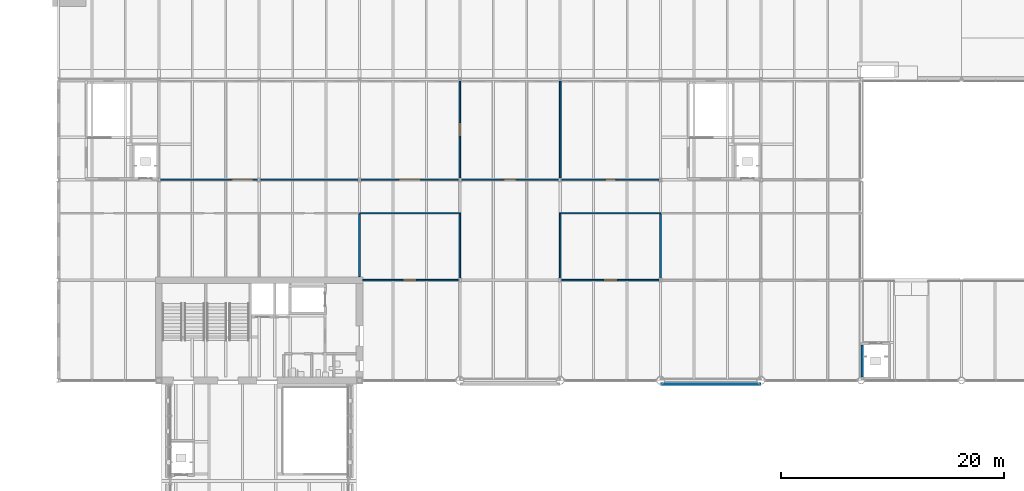
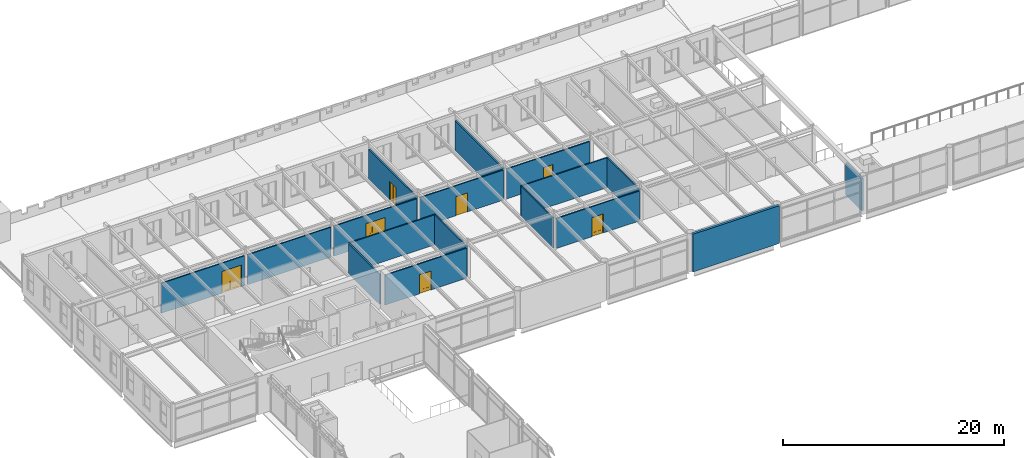
# One storey, part 72 of 123: 17 walls, 7 doors, 7 openings.
"""IFC4 building model written with IfcOpenShell, lengths in metres."""

from ifc_helpers import new_model, si_unit, direction, frame, frame_2d, origin, place, context, subcontext, project, spatial, polyline, rectangle, outline, extrude, material, layer, layer_set, type_object, element, fill, save


model = new_model("IFC4")

# Units and contexts
model_context = context("Model", 3, precision=1e-05, world=origin(), true_north=direction((0.0, 1.0)))
body_context = subcontext(model_context, "Body", "Model", "MODEL_VIEW")
ifc_project = project(units=[si_unit("LENGTHUNIT", "METRE"), si_unit("AREAUNIT", "SQUARE_METRE"), si_unit("VOLUMEUNIT", "CUBIC_METRE"), si_unit("PLANEANGLEUNIT", "RADIAN"), si_unit("MASSUNIT", "GRAM", prefix="KILO")], contexts=[model_context])

# Site, building, storey
site_placement = place(None, origin())
site = spatial("IfcSite", under=ifc_project, at=site_placement, CompositionType="ELEMENT")
building_placement = place(site_placement, origin())
building = spatial("IfcBuilding", under=site, at=building_placement, Name="Baradari Gate Terminus", CompositionType="ELEMENT")
storey_placement = place(building_placement, frame((0.0, 0.0, 7.5)))
storey = spatial("IfcBuildingStorey", under=building, at=storey_placement, Name="L01", CompositionType="ELEMENT", Elevation=7.5)

# Walls
ifc_material_1 = material(Name="Gypsum board")
ifc_layer_1 = layer(ifc_material_1, 0.125)
ifc_layer_set_1 = layer_set([ifc_layer_1], Name="Gypsum board")
wall_type_1 = type_object("IfcWallType", Name="Corridor partition PT-5 125 EI 30", PredefinedType="PARTITIONING", material=ifc_layer_set_1)
for number, where, z_axis, x_axis, name in (
    (1, (117.0, 96.0, 0.0), (0.0, 0.0, 1.0), (-1.0, 0.0, 0.0), "PT-5 partition Corridor (Service Corridor West) / Station Office 4"),
    (2, (99.0625, 96.0, 0.0), (0.0, 0.0, 1.0), (-1.0, 0.0, 0.0), "PT-5 partition Corridor (Service Corridor West) / Station Office 3"),
):
    element("IfcWall", number, at=place(storey_placement, frame(where, z_axis=z_axis, x_axis=x_axis)), inside=storey, type_object=wall_type_1, Name=name, PredefinedType="PARTITIONING", context=body_context, shape_type="SweptSolid", body=[
        extrude(rectangle(XDim=9.0625, YDim=0.125, at=frame_2d((4.53125, 0.0))), origin(), (0.0, 0.0, 1.0), 3.306884765625),
    ])

# Wall, opening, door
wall_1_placement = place(storey_placement, frame((108.15380859375, 99.0, 0.0), z_axis=(0.0, 0.0, 1.0), x_axis=(1.0, 0.0, 0.0)))
wall_1 = element("IfcWall", 3, at=wall_1_placement, inside=storey, type_object=wall_type_1, Name="PT-5 partition Corridor (Service Corridor West) / Station Office 6", PredefinedType="PARTITIONING", context=body_context, shape_type="SweptSolid", body=[
    extrude(rectangle(XDim=8.6923828125, YDim=0.125, at=frame_2d((4.34619140625, 0.0))), origin(), (0.0, 0.0, 1.0), 3.306884765625),
])
opening_1_placement = place(wall_1_placement, frame((3.84619140625, 0.0, 0.0)))
opening_1 = element("IfcOpeningElement", 4, at=opening_1_placement, cuts=wall_1, Name="Opening D01-056", PredefinedType="OPENING", context=body_context, shape_type="SweptSolid", body=[
    extrude(rectangle(XDim=1.0, YDim=2.10009765625, at=frame_2d((0.5, 1.050048828125))), frame((0.0, 0.072509765625, 0.0), z_axis=(0.0, -1.0, 0.0), x_axis=(1.0, 0.0, 0.0)), (0.0, 0.0, 1.0), 0.14501953125),
])
ifc_material_2 = material(Name="Steel S275", Category="steel")
door_type_1 = type_object("IfcDoorType", Name="Fire door FI-1000-FD30S 1000x2100 FD30S", OperationType="SINGLE_SWING_LEFT", PredefinedType="DOOR", material=ifc_material_2)
door_1_placement = place(opening_1_placement, origin())
door_1 = element("IfcDoor", 5, at=door_1_placement, inside=storey, type_object=door_type_1, Name="Door Station Office 6", OperationType="SINGLE_SWING_LEFT", OverallHeight=2.1, OverallWidth=1.0, PredefinedType="DOOR", context=body_context, shape_type="SweptSolid", body=[
    extrude(outline(polyline([(0.0, 0.0), (0.070068359375, 0.0), (0.070068359375, 2.030029296875), (0.929931640625, 2.030029296875), (0.929931640625, 0.0), (1.0, 0.0), (1.0, 2.10009765625), (0.0, 2.10009765625), (0.0, 0.0)])), frame((0.0, 0.02490234375, 0.0), z_axis=(0.0, -1.0, 0.0), x_axis=(1.0, 0.0, 0.0)), (0.0, 0.0, 1.0), 0.050048828125),
    extrude(outline(polyline([(0.073974609375, 0.010009765625), (0.926025390625, 0.010009765625), (0.926025390625, 2.026123046875), (0.073974609375, 2.026123046875), (0.073974609375, 0.010009765625)]), holes=[polyline([(0.194091796875, 0.159912109375), (0.805908203125, 0.159912109375), (0.805908203125, 1.010009765625), (0.194091796875, 1.010009765625), (0.194091796875, 0.159912109375)]), polyline([(0.35009765625, 1.159912109375), (0.64990234375, 1.159912109375), (0.64990234375, 1.760009765625), (0.35009765625, 1.760009765625), (0.35009765625, 1.159912109375)])]), frame((0.0, 0.017333984375, 0.0), z_axis=(0.0, -1.0, 0.0), x_axis=(1.0, 0.0, 0.0)), (0.0, 0.0, 1.0), 0.034912109375),
    extrude(rectangle(XDim=0.61181640625, YDim=0.85009765625, at=frame_2d((0.5, 0.5849609375))), frame((0.0, 0.008544921875, 0.0), z_axis=(0.0, -1.0, 0.0), x_axis=(1.0, 0.0, 0.0)), (0.0, 0.0, 1.0), 0.017333984375),
    extrude(rectangle(XDim=0.2998046875, YDim=0.60009765625, at=frame_2d((0.5, 1.4599609375))), frame((0.0, 0.005859375, 0.0), z_axis=(0.0, -1.0, 0.0), x_axis=(1.0, 0.0, 0.0)), (0.0, 0.0, 1.0), 0.011962890625),
])
fill(opening_1, door_1)

wall_2_placement = place(storey_placement, frame((99.15380859375, 99.0, 0.0), z_axis=(0.0, 0.0, 1.0), x_axis=(1.0, 0.0, 0.0)))
wall_2 = element("IfcWall", 6, at=wall_2_placement, inside=storey, type_object=wall_type_1, Name="PT-5 partition Corridor (Service Corridor West) / Restaurant Kitchen", PredefinedType="PARTITIONING", context=body_context, shape_type="SweptSolid", body=[
    extrude(rectangle(XDim=8.6923828125, YDim=0.125, at=frame_2d((4.34619140625, 0.0))), origin(), (0.0, 0.0, 1.0), 3.306884765625),
])
opening_2_placement = place(wall_2_placement, frame((3.746337890625, 0.0, 0.0)))
opening_2 = element("IfcOpeningElement", 7, at=opening_2_placement, cuts=wall_2, Name="Opening D01-054", PredefinedType="OPENING", context=body_context, shape_type="SweptSolid", body=[
    extrude(rectangle(XDim=1.199951171875, YDim=2.10009765625, at=frame_2d((0.60009765625, 1.050048828125))), frame((0.0, 0.072509765625, 0.0), z_axis=(0.0, -1.0, 0.0), x_axis=(1.0, 0.0, 0.0)), (0.0, 0.0, 1.0), 0.14501953125),
])
ifc_material_3 = material(Name="Steel S275", Category="steel")
door_type_2 = type_object("IfcDoorType", Name="Fire door FI-1200-FD60S 1200x2100 FD60S", OperationType="DOUBLE_DOOR_SINGLE_SWING", PredefinedType="DOOR", material=ifc_material_3)
door_2_placement = place(opening_2_placement, origin())
door_2 = element("IfcDoor", 8, at=door_2_placement, inside=storey, type_object=door_type_2, Name="Door Restaurant Kitchen", OperationType="DOUBLE_DOOR_SINGLE_SWING", OverallHeight=2.1, OverallWidth=1.2, PredefinedType="DOOR", context=body_context, shape_type="SweptSolid", body=[
    extrude(outline(polyline([(0.0, 0.0), (0.070068359375, 0.0), (0.070068359375, 2.030029296875), (1.1298828125, 2.030029296875), (1.1298828125, 0.0), (1.199951171875, 0.0), (1.199951171875, 2.10009765625), (0.0, 2.10009765625), (0.0, 0.0)])), frame((0.0, 0.02490234375, 0.0), z_axis=(0.0, -1.0, 0.0), x_axis=(1.0, 0.0, 0.0)), (0.0, 0.0, 1.0), 0.050048828125),
    extrude(outline(polyline([(0.073974609375, 0.010009765625), (0.596923828125, 0.010009765625), (0.596923828125, 2.026123046875), (0.073974609375, 2.026123046875), (0.073974609375, 0.010009765625)]), holes=[polyline([(0.178466796875, 0.372802734375), (0.492431640625, 0.372802734375), (0.492431640625, 1.7841796875), (0.178466796875, 1.7841796875), (0.178466796875, 0.372802734375)])]), frame((0.0, 0.017333984375, 0.0), z_axis=(0.0, -1.0, 0.0), x_axis=(1.0, 0.0, 0.0)), (0.0, 0.0, 1.0), 0.034912109375),
    extrude(rectangle(XDim=0.31396484375, YDim=1.411376953125, at=frame_2d((0.33544921875, 1.07861328125))), frame((0.0, 0.008544921875, 0.0), z_axis=(0.0, -1.0, 0.0), x_axis=(1.0, 0.0, 0.0)), (0.0, 0.0, 1.0), 0.017333984375),
    extrude(outline(polyline([(0.60302734375, 0.010009765625), (1.1259765625, 0.010009765625), (1.1259765625, 2.026123046875), (0.60302734375, 2.026123046875), (0.60302734375, 0.010009765625)]), holes=[polyline([(0.70751953125, 0.372802734375), (1.021484375, 0.372802734375), (1.021484375, 1.7841796875), (0.70751953125, 1.7841796875), (0.70751953125, 0.372802734375)])]), frame((0.0, 0.017333984375, 0.0), z_axis=(0.0, -1.0, 0.0), x_axis=(1.0, 0.0, 0.0)), (0.0, 0.0, 1.0), 0.034912109375),
    extrude(rectangle(XDim=0.31396484375, YDim=1.411376953125, at=frame_2d((0.864501953125, 1.07861328125))), frame((0.0, 0.008544921875, 0.0), z_axis=(0.0, -1.0, 0.0), x_axis=(1.0, 0.0, 0.0)), (0.0, 0.0, 1.0), 0.017333984375),
])
fill(opening_2, door_2)

wall_3_placement = place(storey_placement, frame((72.15380859375, 99.0, 0.0), z_axis=(0.0, 0.0, 1.0), x_axis=(1.0, 0.0, 0.0)))
wall_3 = element("IfcWall", 9, at=wall_3_placement, inside=storey, type_object=wall_type_1, Name="PT-5 partition Corridor (Service Corridor West) / Restaurant", PredefinedType="PARTITIONING", context=body_context, shape_type="SweptSolid", body=[
    extrude(rectangle(XDim=8.6923828125, YDim=0.125, at=frame_2d((4.34619140625, 0.0))), origin(), (0.0, 0.0, 1.0), 3.306884765625),
])
opening_3_placement = place(wall_3_placement, frame((6.34619140625, 0.0, 0.0)))
opening_3 = element("IfcOpeningElement", 10, at=opening_3_placement, cuts=wall_3, Name="Opening D01-052", PredefinedType="OPENING", context=body_context, shape_type="SweptSolid", body=[
    extrude(rectangle(XDim=2.0, YDim=2.39990234375, at=frame_2d((1.0, 1.199951171875))), frame((0.0, 0.072509765625, 0.0), z_axis=(0.0, -1.0, 0.0), x_axis=(1.0, 0.0, 0.0)), (0.0, 0.0, 1.0), 0.14501953125),
])
ifc_material_4 = material(Name="Steel S275", Category="steel")
door_type_3 = type_object("IfcDoorType", Name="Fire door FI-2000x2400-FD30S 2000x2400 FD30S", OperationType="DOUBLE_DOOR_SINGLE_SWING", PredefinedType="DOOR", material=ifc_material_4)
door_3_placement = place(opening_3_placement, frame((2.0, 0.0, 0.0), z_axis=(0.0, 0.0, 1.0), x_axis=(-1.0, 0.0, 0.0)))
door_3 = element("IfcDoor", 11, at=door_3_placement, inside=storey, type_object=door_type_3, Name="Door Restaurant", OperationType="DOUBLE_DOOR_SINGLE_SWING", OverallHeight=2.4, OverallWidth=2.0, PredefinedType="DOOR", context=body_context, shape_type="SweptSolid", body=[
    extrude(outline(polyline([(0.0, 0.0), (0.070068359375, 0.0), (0.070068359375, 2.329833984375), (1.929931640625, 2.329833984375), (1.929931640625, 0.0), (2.0, 0.0), (2.0, 2.39990234375), (0.0, 2.39990234375), (0.0, 0.0)])), frame((0.0, 0.02490234375, 0.0), z_axis=(0.0, -1.0, 0.0), x_axis=(1.0, 0.0, 0.0)), (0.0, 0.0, 1.0), 0.050048828125),
    extrude(outline(polyline([(0.073974609375, 0.010009765625), (0.9970703125, 0.010009765625), (0.9970703125, 2.325927734375), (0.073974609375, 2.325927734375), (0.073974609375, 0.010009765625)]), holes=[polyline([(0.194091796875, 0.159912109375), (0.876953125, 0.159912109375), (0.876953125, 1.010009765625), (0.194091796875, 1.010009765625), (0.194091796875, 0.159912109375)]), polyline([(0.385498046875, 1.159912109375), (0.685546875, 1.159912109375), (0.685546875, 1.760009765625), (0.385498046875, 1.760009765625), (0.385498046875, 1.159912109375)])]), frame((0.0, 0.017333984375, 0.0), z_axis=(0.0, -1.0, 0.0), x_axis=(1.0, 0.0, 0.0)), (0.0, 0.0, 1.0), 0.034912109375),
    extrude(rectangle(XDim=0.682861328125, YDim=0.85009765625, at=frame_2d((0.53564453125, 0.5849609375))), frame((0.0, 0.008544921875, 0.0), z_axis=(0.0, -1.0, 0.0), x_axis=(1.0, 0.0, 0.0)), (0.0, 0.0, 1.0), 0.017333984375),
    extrude(rectangle(XDim=0.300048828125, YDim=0.60009765625, at=frame_2d((0.53564453125, 1.4599609375))), frame((0.0, 0.005859375, 0.0), z_axis=(0.0, -1.0, 0.0), x_axis=(1.0, 0.0, 0.0)), (0.0, 0.0, 1.0), 0.011962890625),
    extrude(outline(polyline([(1.0029296875, 0.010009765625), (1.926025390625, 0.010009765625), (1.926025390625, 2.325927734375), (1.0029296875, 2.325927734375), (1.0029296875, 0.010009765625)]), holes=[polyline([(1.123046875, 0.159912109375), (1.805908203125, 0.159912109375), (1.805908203125, 1.010009765625), (1.123046875, 1.010009765625), (1.123046875, 0.159912109375)]), polyline([(1.314453125, 1.159912109375), (1.614501953125, 1.159912109375), (1.614501953125, 1.760009765625), (1.314453125, 1.760009765625), (1.314453125, 1.159912109375)])]), frame((0.0, 0.017333984375, 0.0), z_axis=(0.0, -1.0, 0.0), x_axis=(1.0, 0.0, 0.0)), (0.0, 0.0, 1.0), 0.034912109375),
    extrude(rectangle(XDim=0.682861328125, YDim=0.85009765625, at=frame_2d((1.46435546875, 0.5849609375))), frame((0.0, 0.008544921875, 0.0), z_axis=(0.0, -1.0, 0.0), x_axis=(1.0, 0.0, 0.0)), (0.0, 0.0, 1.0), 0.017333984375),
    extrude(rectangle(XDim=0.300048828125, YDim=0.60009765625, at=frame_2d((1.46435546875, 1.4599609375))), frame((0.0, 0.005859375, 0.0), z_axis=(0.0, -1.0, 0.0), x_axis=(1.0, 0.0, 0.0)), (0.0, 0.0, 1.0), 0.011962890625),
])
fill(opening_3, door_3)

# Wall
wall_4_placement = place(storey_placement, frame((81.15380859375, 99.0, 0.0), z_axis=(0.0, 0.0, 1.0), x_axis=(1.0, 0.0, 0.0)))
element("IfcWall", 12, at=wall_4_placement, inside=storey, type_object=wall_type_1, Name="PT-5 partition Corridor (Service Corridor West) / Restaurant", PredefinedType="PARTITIONING", context=body_context, shape_type="SweptSolid", body=[
    extrude(rectangle(XDim=8.6923828125, YDim=0.125, at=frame_2d((4.34619140625, 0.0))), origin(), (0.0, 0.0, 1.0), 3.306884765625),
])

# Wall, opening, door
wall_5_placement = place(storey_placement, frame((90.15380859375, 99.0, 0.0), z_axis=(0.0, 0.0, 1.0), x_axis=(1.0, 0.0, 0.0)))
wall_5 = element("IfcWall", 13, at=wall_5_placement, inside=storey, type_object=wall_type_1, Name="PT-5 partition Corridor (Service Corridor West) / Restaurant", PredefinedType="PARTITIONING", context=body_context, shape_type="SweptSolid", body=[
    extrude(rectangle(XDim=8.6923828125, YDim=0.125, at=frame_2d((4.34619140625, 0.0))), origin(), (0.0, 0.0, 1.0), 3.306884765625),
])
opening_4_placement = place(wall_5_placement, frame((3.34619140625, 0.0, 0.0)))
opening_4 = element("IfcOpeningElement", 14, at=opening_4_placement, cuts=wall_5, Name="Opening D01-053", PredefinedType="OPENING", context=body_context, shape_type="SweptSolid", body=[
    extrude(rectangle(XDim=2.0, YDim=2.39990234375, at=frame_2d((1.0, 1.199951171875))), frame((0.0, 0.072509765625, 0.0), z_axis=(0.0, -1.0, 0.0), x_axis=(1.0, 0.0, 0.0)), (0.0, 0.0, 1.0), 0.14501953125),
])
door_4_placement = place(opening_4_placement, frame((2.0, 0.0, 0.0), z_axis=(0.0, 0.0, 1.0), x_axis=(-1.0, 0.0, 0.0)))
door_4 = element("IfcDoor", 15, at=door_4_placement, inside=storey, type_object=door_type_3, Name="Door Restaurant", OperationType="DOUBLE_DOOR_SINGLE_SWING", OverallHeight=2.4, OverallWidth=2.0, PredefinedType="DOOR", context=body_context, shape_type="SweptSolid", body=[
    extrude(outline(polyline([(0.0, 0.0), (0.070068359375, 0.0), (0.070068359375, 2.329833984375), (1.929931640625, 2.329833984375), (1.929931640625, 0.0), (2.0, 0.0), (2.0, 2.39990234375), (0.0, 2.39990234375), (0.0, 0.0)])), frame((0.0, 0.02490234375, 0.0), z_axis=(0.0, -1.0, 0.0), x_axis=(1.0, 0.0, 0.0)), (0.0, 0.0, 1.0), 0.050048828125),
    extrude(outline(polyline([(0.073974609375, 0.010009765625), (0.9970703125, 0.010009765625), (0.9970703125, 2.325927734375), (0.073974609375, 2.325927734375), (0.073974609375, 0.010009765625)]), holes=[polyline([(0.194091796875, 0.159912109375), (0.876953125, 0.159912109375), (0.876953125, 1.010009765625), (0.194091796875, 1.010009765625), (0.194091796875, 0.159912109375)]), polyline([(0.385498046875, 1.159912109375), (0.685546875, 1.159912109375), (0.685546875, 1.760009765625), (0.385498046875, 1.760009765625), (0.385498046875, 1.159912109375)])]), frame((0.0, 0.017333984375, 0.0), z_axis=(0.0, -1.0, 0.0), x_axis=(1.0, 0.0, 0.0)), (0.0, 0.0, 1.0), 0.034912109375),
    extrude(rectangle(XDim=0.682861328125, YDim=0.85009765625, at=frame_2d((0.53564453125, 0.5849609375))), frame((0.0, 0.008544921875, 0.0), z_axis=(0.0, -1.0, 0.0), x_axis=(1.0, 0.0, 0.0)), (0.0, 0.0, 1.0), 0.017333984375),
    extrude(rectangle(XDim=0.300048828125, YDim=0.60009765625, at=frame_2d((0.53564453125, 1.4599609375))), frame((0.0, 0.005859375, 0.0), z_axis=(0.0, -1.0, 0.0), x_axis=(1.0, 0.0, 0.0)), (0.0, 0.0, 1.0), 0.011962890625),
    extrude(outline(polyline([(1.0029296875, 0.010009765625), (1.926025390625, 0.010009765625), (1.926025390625, 2.325927734375), (1.0029296875, 2.325927734375), (1.0029296875, 0.010009765625)]), holes=[polyline([(1.123046875, 0.159912109375), (1.805908203125, 0.159912109375), (1.805908203125, 1.010009765625), (1.123046875, 1.010009765625), (1.123046875, 0.159912109375)]), polyline([(1.314453125, 1.159912109375), (1.614501953125, 1.159912109375), (1.614501953125, 1.760009765625), (1.314453125, 1.760009765625), (1.314453125, 1.159912109375)])]), frame((0.0, 0.017333984375, 0.0), z_axis=(0.0, -1.0, 0.0), x_axis=(1.0, 0.0, 0.0)), (0.0, 0.0, 1.0), 0.034912109375),
    extrude(rectangle(XDim=0.682861328125, YDim=0.85009765625, at=frame_2d((1.46435546875, 0.5849609375))), frame((0.0, 0.008544921875, 0.0), z_axis=(0.0, -1.0, 0.0), x_axis=(1.0, 0.0, 0.0)), (0.0, 0.0, 1.0), 0.017333984375),
    extrude(rectangle(XDim=0.300048828125, YDim=0.60009765625, at=frame_2d((1.46435546875, 1.4599609375))), frame((0.0, 0.005859375, 0.0), z_axis=(0.0, -1.0, 0.0), x_axis=(1.0, 0.0, 0.0)), (0.0, 0.0, 1.0), 0.011962890625),
])
fill(opening_4, door_4)

wall_6_placement = place(storey_placement, frame((108.15380859375, 90.0, 0.0), z_axis=(0.0, 0.0, 1.0), x_axis=(1.0, 0.0, 0.0)))
wall_6 = element("IfcWall", 16, at=wall_6_placement, inside=storey, type_object=wall_type_1, Name="PT-5 partition Gallery / Station Office 4", PredefinedType="PARTITIONING", context=body_context, shape_type="SweptSolid", body=[
    extrude(rectangle(XDim=8.6923828125, YDim=0.125, at=frame_2d((4.34619140625, 0.0))), origin(), (0.0, 0.0, 1.0), 3.306884765625),
])
opening_5_placement = place(wall_6_placement, frame((3.746337890625, 0.0, 0.0)))
opening_5 = element("IfcOpeningElement", 17, at=opening_5_placement, cuts=wall_6, Name="Opening D01-039", PredefinedType="OPENING", context=body_context, shape_type="SweptSolid", body=[
    extrude(rectangle(XDim=1.199951171875, YDim=2.10009765625, at=frame_2d((0.60009765625, 1.050048828125))), frame((0.0, 0.072509765625, 0.0), z_axis=(0.0, -1.0, 0.0), x_axis=(1.0, 0.0, 0.0)), (0.0, 0.0, 1.0), 0.14501953125),
])
ifc_material_5 = material(Name="Steel S275", Category="steel")
door_type_4 = type_object("IfcDoorType", Name="Fire door FI-1200-FD30S 1200x2100 FD30S", OperationType="DOUBLE_DOOR_SINGLE_SWING", PredefinedType="DOOR", material=ifc_material_5)
door_5_placement = place(opening_5_placement, origin())
door_5 = element("IfcDoor", 18, at=door_5_placement, inside=storey, type_object=door_type_4, Name="Door Station Office 4", OperationType="DOUBLE_DOOR_SINGLE_SWING", OverallHeight=2.1, OverallWidth=1.2, PredefinedType="DOOR", context=body_context, shape_type="SweptSolid", body=[
    extrude(outline(polyline([(0.0, 0.0), (0.070068359375, 0.0), (0.070068359375, 2.030029296875), (1.1298828125, 2.030029296875), (1.1298828125, 0.0), (1.199951171875, 0.0), (1.199951171875, 2.10009765625), (0.0, 2.10009765625), (0.0, 0.0)])), frame((0.0, 0.02490234375, 0.0), z_axis=(0.0, -1.0, 0.0), x_axis=(1.0, 0.0, 0.0)), (0.0, 0.0, 1.0), 0.050048828125),
    extrude(outline(polyline([(0.073974609375, 0.010009765625), (0.596923828125, 0.010009765625), (0.596923828125, 2.026123046875), (0.073974609375, 2.026123046875), (0.073974609375, 0.010009765625)]), holes=[polyline([(0.178466796875, 0.372802734375), (0.492431640625, 0.372802734375), (0.492431640625, 1.7841796875), (0.178466796875, 1.7841796875), (0.178466796875, 0.372802734375)])]), frame((0.0, 0.017333984375, 0.0), z_axis=(0.0, -1.0, 0.0), x_axis=(1.0, 0.0, 0.0)), (0.0, 0.0, 1.0), 0.034912109375),
    extrude(rectangle(XDim=0.31396484375, YDim=1.411376953125, at=frame_2d((0.33544921875, 1.07861328125))), frame((0.0, 0.008544921875, 0.0), z_axis=(0.0, -1.0, 0.0), x_axis=(1.0, 0.0, 0.0)), (0.0, 0.0, 1.0), 0.017333984375),
    extrude(outline(polyline([(0.60302734375, 0.010009765625), (1.1259765625, 0.010009765625), (1.1259765625, 2.026123046875), (0.60302734375, 2.026123046875), (0.60302734375, 0.010009765625)]), holes=[polyline([(0.70751953125, 0.372802734375), (1.021484375, 0.372802734375), (1.021484375, 1.7841796875), (0.70751953125, 1.7841796875), (0.70751953125, 0.372802734375)])]), frame((0.0, 0.017333984375, 0.0), z_axis=(0.0, -1.0, 0.0), x_axis=(1.0, 0.0, 0.0)), (0.0, 0.0, 1.0), 0.034912109375),
    extrude(rectangle(XDim=0.31396484375, YDim=1.411376953125, at=frame_2d((0.864501953125, 1.07861328125))), frame((0.0, 0.008544921875, 0.0), z_axis=(0.0, -1.0, 0.0), x_axis=(1.0, 0.0, 0.0)), (0.0, 0.0, 1.0), 0.017333984375),
])
fill(opening_5, door_5)

wall_7_placement = place(storey_placement, frame((90.302001953125, 90.0, 0.0), z_axis=(0.0, 0.0, 1.0), x_axis=(1.0, 0.0, 0.0)))
wall_7 = element("IfcWall", 19, at=wall_7_placement, inside=storey, type_object=wall_type_1, Name="PT-5 partition Gallery / Station Office 3", PredefinedType="PARTITIONING", context=body_context, shape_type="SweptSolid", body=[
    extrude(rectangle(XDim=8.544189453125, YDim=0.125, at=frame_2d((4.27197265625, 0.0))), origin(), (0.0, 0.0, 1.0), 3.306884765625),
])
opening_6_placement = place(wall_7_placement, frame((3.597900390625, 0.0, 0.0)))
opening_6 = element("IfcOpeningElement", 20, at=opening_6_placement, cuts=wall_7, Name="Opening D01-038", PredefinedType="OPENING", context=body_context, shape_type="SweptSolid", body=[
    extrude(rectangle(XDim=1.199951171875, YDim=2.10009765625, at=frame_2d((0.60009765625, 1.050048828125))), frame((0.0, 0.072509765625, 0.0), z_axis=(0.0, -1.0, 0.0), x_axis=(1.0, 0.0, 0.0)), (0.0, 0.0, 1.0), 0.14501953125),
])
door_6_placement = place(opening_6_placement, origin())
door_6 = element("IfcDoor", 21, at=door_6_placement, inside=storey, type_object=door_type_4, Name="Door Station Office 3", OperationType="DOUBLE_DOOR_SINGLE_SWING", OverallHeight=2.1, OverallWidth=1.2, PredefinedType="DOOR", context=body_context, shape_type="SweptSolid", body=[
    extrude(outline(polyline([(0.0, 0.0), (0.070068359375, 0.0), (0.070068359375, 2.030029296875), (1.1298828125, 2.030029296875), (1.1298828125, 0.0), (1.199951171875, 0.0), (1.199951171875, 2.10009765625), (0.0, 2.10009765625), (0.0, 0.0)])), frame((0.0, 0.02490234375, 0.0), z_axis=(0.0, -1.0, 0.0), x_axis=(1.0, 0.0, 0.0)), (0.0, 0.0, 1.0), 0.050048828125),
    extrude(outline(polyline([(0.073974609375, 0.010009765625), (0.596923828125, 0.010009765625), (0.596923828125, 2.026123046875), (0.073974609375, 2.026123046875), (0.073974609375, 0.010009765625)]), holes=[polyline([(0.178466796875, 0.372802734375), (0.492431640625, 0.372802734375), (0.492431640625, 1.7841796875), (0.178466796875, 1.7841796875), (0.178466796875, 0.372802734375)])]), frame((0.0, 0.017333984375, 0.0), z_axis=(0.0, -1.0, 0.0), x_axis=(1.0, 0.0, 0.0)), (0.0, 0.0, 1.0), 0.034912109375),
    extrude(rectangle(XDim=0.31396484375, YDim=1.411376953125, at=frame_2d((0.33544921875, 1.07861328125))), frame((0.0, 0.008544921875, 0.0), z_axis=(0.0, -1.0, 0.0), x_axis=(1.0, 0.0, 0.0)), (0.0, 0.0, 1.0), 0.017333984375),
    extrude(outline(polyline([(0.60302734375, 0.010009765625), (1.1259765625, 0.010009765625), (1.1259765625, 2.026123046875), (0.60302734375, 2.026123046875), (0.60302734375, 0.010009765625)]), holes=[polyline([(0.70751953125, 0.372802734375), (1.021484375, 0.372802734375), (1.021484375, 1.7841796875), (0.70751953125, 1.7841796875), (0.70751953125, 0.372802734375)])]), frame((0.0, 0.017333984375, 0.0), z_axis=(0.0, -1.0, 0.0), x_axis=(1.0, 0.0, 0.0)), (0.0, 0.0, 1.0), 0.034912109375),
    extrude(rectangle(XDim=0.31396484375, YDim=1.411376953125, at=frame_2d((0.864501953125, 1.07861328125))), frame((0.0, 0.008544921875, 0.0), z_axis=(0.0, -1.0, 0.0), x_axis=(1.0, 0.0, 0.0)), (0.0, 0.0, 1.0), 0.017333984375),
])
fill(opening_6, door_6)

# Walls
for number, where, z_axis, x_axis, name in (
    (22, (108.0, 95.9375, 0.0), (0.0, 0.0, 1.0), (0.0, -1.0, 0.0), "PT-5 partition Corridor (Cross Passage West) / Station Office 4"),
    (23, (99.0, 90.1572265625, 0.0), (0.0, 0.0, 1.0), (0.0, 1.0, 0.0), "PT-5 partition Corridor (Cross Passage West) / Station Office 3"),
):
    element("IfcWall", number, at=place(storey_placement, frame(where, z_axis=z_axis, x_axis=x_axis)), inside=storey, type_object=wall_type_1, Name=name, PredefinedType="PARTITIONING", context=body_context, shape_type="SweptSolid", body=[
        extrude(rectangle(XDim=5.7802734375, YDim=0.125, at=frame_2d((2.89013671875, 0.0))), origin(), (0.0, 0.0, 1.0), 3.306884765625),
    ])
ifc_material_6 = material(Name="Laterite masonry", Category="masonry")
ifc_layer_2 = layer(ifc_material_6, 0.25)
ifc_layer_set_2 = layer_set([ifc_layer_2], Name="Laterite masonry")
wall_type_2 = type_object("IfcWallType", Name="Laterite masonry wall WP-1 250", PredefinedType="SOLIDWALL", material=ifc_layer_set_2)
wall_8_placement = place(storey_placement, frame((117.0, 80.68994140625, 0.0), z_axis=(0.0, 0.0, 1.0), x_axis=(1.0, 0.0, 0.0)))
element("IfcWall", 24, at=wall_8_placement, inside=storey, type_object=wall_type_2, Name="External wall platform side bay 13 L01", PredefinedType="SOLIDWALL", context=body_context, shape_type="SweptSolid", body=[
    extrude(rectangle(XDim=9.0, YDim=0.25, at=frame_2d((4.5, 0.0))), origin(), (0.0, 0.0, 1.0), 4.15869140625),
])
ifc_material_7 = material(Name="Blockwork wall, fire rated", Category="masonry")
ifc_layer_3 = layer(ifc_material_7, 0.199951171875)
ifc_layer_set_3 = layer_set([ifc_layer_3], Name="Blockwork wall, fire rated")
wall_type_3 = type_object("IfcWallType", Name="Lift shaft wall SH-1 200 EI 120", PredefinedType="SOLIDWALL", material=ifc_layer_set_3)
wall_9_placement = place(storey_placement, frame((135.10009765625, 81.300048828125, 0.0), z_axis=(0.0, 0.0, 1.0), x_axis=(0.0, 1.0, 0.0)))
element("IfcWall", 25, at=wall_9_placement, inside=storey, type_object=wall_type_3, Name="Lift shaft wall LHL L01 W", PredefinedType="SOLIDWALL", context=body_context, shape_type="SweptSolid", body=[
    extrude(rectangle(XDim=2.89990234375, YDim=0.199951171875, at=frame_2d((1.449951171875, 0.0))), origin(), (0.0, 0.0, 1.0), 3.51611328125),
])
ifc_material_8 = material(Name="Blockwork wall, plastered", Category="masonry")
ifc_layer_4 = layer(ifc_material_8, 0.14990234375)
ifc_layer_set_4 = layer_set([ifc_layer_4], Name="Blockwork wall, plastered")
wall_type_4 = type_object("IfcWallType", Name="Partition PT-2 150 EI 60", PredefinedType="PARTITIONING", material=ifc_layer_set_4)
wall_10_placement = place(storey_placement, frame((90.0, 95.9375, 0.0), z_axis=(0.0, 0.0, 1.0), x_axis=(0.0, -1.0, 0.0)))
element("IfcWall", 26, at=wall_10_placement, inside=storey, type_object=wall_type_4, Name="PT-2 partition Station Office 2 / Station Office 3", PredefinedType="PARTITIONING", context=body_context, shape_type="SweptSolid", body=[
    extrude(rectangle(XDim=5.635498046875, YDim=0.14990234375, at=frame_2d((2.81787109375, 0.0))), origin(), (0.0, 0.0, 1.0), 3.306884765625),
])
wall_11_placement = place(storey_placement, frame((117.0, 95.9375, 0.0), z_axis=(0.0, 0.0, 1.0), x_axis=(0.0, -1.0, 0.0)))
element("IfcWall", 27, at=wall_11_placement, inside=storey, type_object=wall_type_4, Name="PT-2 partition Station Office 4 / Station Office 5", PredefinedType="PARTITIONING", context=body_context, shape_type="SweptSolid", body=[
    extrude(rectangle(XDim=5.7802734375, YDim=0.14990234375, at=frame_2d((2.89013671875, 0.0))), origin(), (0.0, 0.0, 1.0), 3.306884765625),
])

# Wall, opening, door
wall_12_placement = place(storey_placement, frame((99.0, 107.869873046875, 0.0), z_axis=(0.0, 0.0, 1.0), x_axis=(0.0, -1.0, 0.0)))
wall_12 = element("IfcWall", 28, at=wall_12_placement, inside=storey, type_object=wall_type_4, Name="PT-2 partition Restaurant / Restaurant Kitchen", PredefinedType="PARTITIONING", context=body_context, shape_type="SweptSolid", body=[
    extrude(rectangle(XDim=8.712646484375, YDim=0.14990234375, at=frame_2d((4.3564453125, 0.0))), origin(), (0.0, 0.0, 1.0), 3.306884765625),
])
opening_7_placement = place(wall_12_placement, frame((3.769775390625, 0.0, 0.0)))
opening_7 = element("IfcOpeningElement", 29, at=opening_7_placement, cuts=wall_12, Name="Opening D01-055", PredefinedType="OPENING", context=body_context, shape_type="SweptSolid", body=[
    extrude(rectangle(XDim=1.199951171875, YDim=2.10009765625, at=frame_2d((0.60009765625, 1.050048828125))), frame((0.0, 0.0849609375, 0.0), z_axis=(0.0, -1.0, 0.0), x_axis=(1.0, 0.0, 0.0)), (0.0, 0.0, 1.0), 0.169921875),
])
door_7_placement = place(opening_7_placement, origin())
door_7 = element("IfcDoor", 30, at=door_7_placement, inside=storey, type_object=door_type_2, Name="Door Restaurant Kitchen", OperationType="DOUBLE_DOOR_SINGLE_SWING", OverallHeight=2.1, OverallWidth=1.2, PredefinedType="DOOR", context=body_context, shape_type="SweptSolid", body=[
    extrude(outline(polyline([(0.0, 0.0), (0.070068359375, 0.0), (0.070068359375, 2.030029296875), (1.1298828125, 2.030029296875), (1.1298828125, 0.0), (1.199951171875, 0.0), (1.199951171875, 2.10009765625), (0.0, 2.10009765625), (0.0, 0.0)])), frame((0.0, 0.02490234375, 0.0), z_axis=(0.0, -1.0, 0.0), x_axis=(1.0, 0.0, 0.0)), (0.0, 0.0, 1.0), 0.050048828125),
    extrude(outline(polyline([(0.073974609375, 0.010009765625), (0.596923828125, 0.010009765625), (0.596923828125, 2.026123046875), (0.073974609375, 2.026123046875), (0.073974609375, 0.010009765625)]), holes=[polyline([(0.178466796875, 0.372802734375), (0.492431640625, 0.372802734375), (0.492431640625, 1.7841796875), (0.178466796875, 1.7841796875), (0.178466796875, 0.372802734375)])]), frame((0.0, 0.017333984375, 0.0), z_axis=(0.0, -1.0, 0.0), x_axis=(1.0, 0.0, 0.0)), (0.0, 0.0, 1.0), 0.034912109375),
    extrude(rectangle(XDim=0.31396484375, YDim=1.411376953125, at=frame_2d((0.33544921875, 1.07861328125))), frame((0.0, 0.008544921875, 0.0), z_axis=(0.0, -1.0, 0.0), x_axis=(1.0, 0.0, 0.0)), (0.0, 0.0, 1.0), 0.017333984375),
    extrude(outline(polyline([(0.60302734375, 0.010009765625), (1.1259765625, 0.010009765625), (1.1259765625, 2.026123046875), (0.60302734375, 2.026123046875), (0.60302734375, 0.010009765625)]), holes=[polyline([(0.70751953125, 0.372802734375), (1.021484375, 0.372802734375), (1.021484375, 1.7841796875), (0.70751953125, 1.7841796875), (0.70751953125, 0.372802734375)])]), frame((0.0, 0.017333984375, 0.0), z_axis=(0.0, -1.0, 0.0), x_axis=(1.0, 0.0, 0.0)), (0.0, 0.0, 1.0), 0.034912109375),
    extrude(rectangle(XDim=0.31396484375, YDim=1.411376953125, at=frame_2d((0.864501953125, 1.07861328125))), frame((0.0, 0.008544921875, 0.0), z_axis=(0.0, -1.0, 0.0), x_axis=(1.0, 0.0, 0.0)), (0.0, 0.0, 1.0), 0.017333984375),
])
fill(opening_7, door_7)

# Wall
wall_13_placement = place(storey_placement, frame((108.0, 107.869873046875, 0.0), z_axis=(0.0, 0.0, 1.0), x_axis=(0.0, -1.0, 0.0)))
element("IfcWall", 31, at=wall_13_placement, inside=storey, type_object=wall_type_4, Name="PT-2 partition Restaurant Kitchen / Station Office 6", PredefinedType="PARTITIONING", context=body_context, shape_type="SweptSolid", body=[
    extrude(rectangle(XDim=8.712646484375, YDim=0.14990234375, at=frame_2d((4.3564453125, 0.0))), origin(), (0.0, 0.0, 1.0), 3.306884765625),
])

save(model, "model.ifc")
